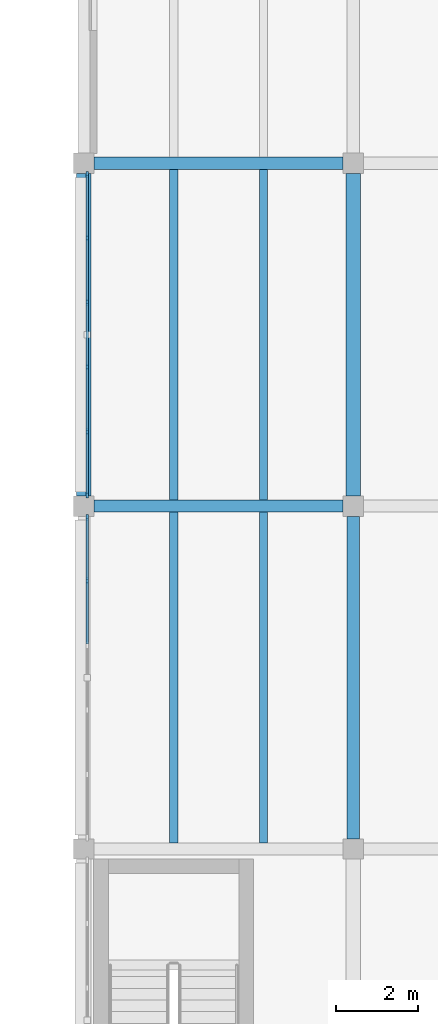
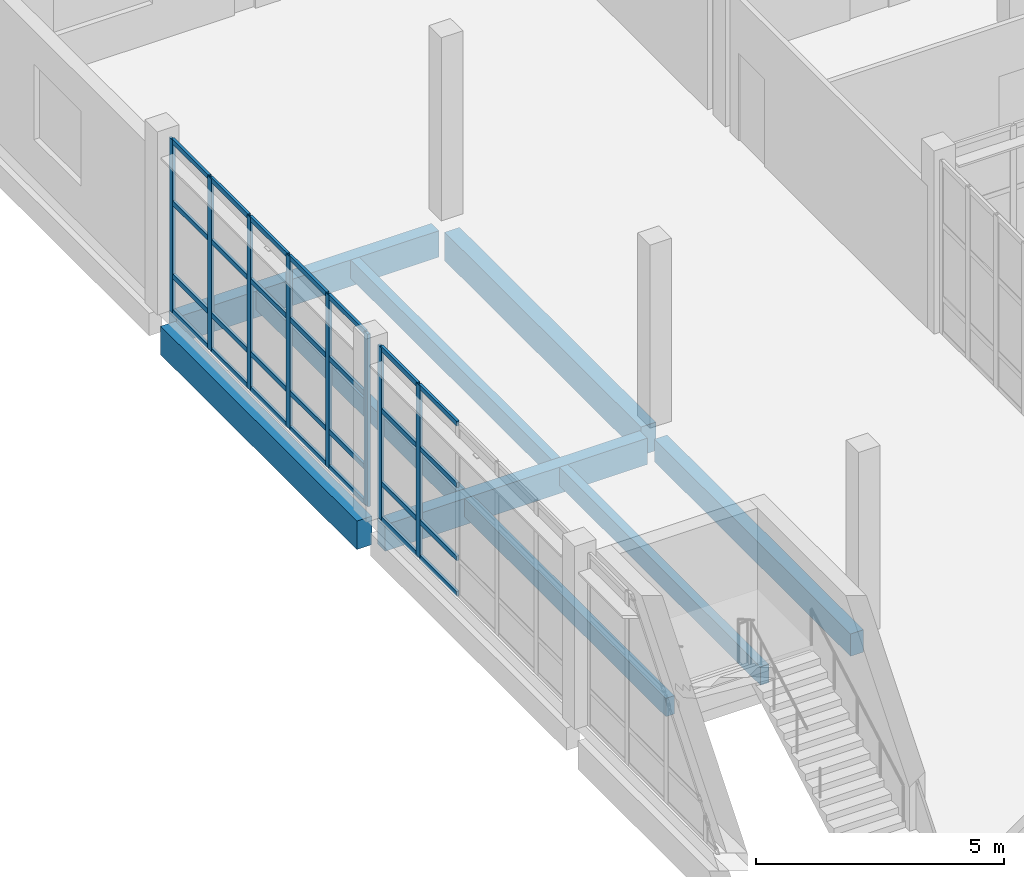
# One storey, part 28 of 76: 36 members, 9 beams, 2 elements without a shape of their own.
"""IFC4 building model written with IfcOpenShell, lengths in metres."""

from ifc_helpers import new_model, si_unit, direction, frame, origin, origin_2d, place, context, subcontext, project, spatial, rectangle, extrude, material, material_profile, profile_set, type_object, element, aggregate, save


model = new_model("IFC4")

# Units and contexts
model_context = context("Model", 3, precision=1e-05, world=origin(), true_north=direction((0.0, 1.0)))
body_context = subcontext(model_context, "Body", "Model", "MODEL_VIEW")
ifc_project = project(units=[si_unit("LENGTHUNIT", "METRE"), si_unit("AREAUNIT", "SQUARE_METRE"), si_unit("VOLUMEUNIT", "CUBIC_METRE"), si_unit("PLANEANGLEUNIT", "RADIAN"), si_unit("MASSUNIT", "GRAM", prefix="KILO")], contexts=[model_context])

# Site, building, storey
site_placement = place(None, origin())
site = spatial("IfcSite", under=ifc_project, at=site_placement, CompositionType="ELEMENT")
building_placement = place(site_placement, origin())
building = spatial("IfcBuilding", under=site, at=building_placement, Name="Qaldarim Faculty of Natural and Applied Sciences", CompositionType="ELEMENT")
storey_placement = place(building_placement, frame((0.0, 0.0, 9.89990234375)))
storey = spatial("IfcBuildingStorey", under=building, at=storey_placement, Name="L02", CompositionType="ELEMENT", Elevation=9.89990234375)

# Beams
ifc_material_1 = material(Name="Concrete C40/50", Category="concrete")
ifc_material_profile_1 = material_profile(ifc_material_1, rectangle(XDim=0.300048828125, YDim=0.550048828125, at=origin_2d()), Name="RC-B300x550")
ifc_profile_set_1 = profile_set([ifc_material_profile_1], Name="Concrete C40/50")
beam_type_1 = type_object("IfcBeamType", Name="FloorBeam-RC300x550", PredefinedType="BEAM", material=ifc_profile_set_1)
beam_placement = place(storey_placement, frame((158.39990234375, 92.64990234375, -0.574951171875), z_axis=(0.0, 1.0, 0.0), x_axis=(-1.0, 0.0, 0.0)))
element("IfcBeam", 1, at=beam_placement, inside=storey, type_object=beam_type_1, Name="Beam RC-B300x550 L01 X25/Y12-Y13", PredefinedType="BEAM", context=body_context, shape_type="SweptSolid", body=[
    extrude(rectangle(XDim=0.300048828125, YDim=0.550048828125, at=origin_2d()), origin(), (0.0, 0.0, 1.0), 7.900146484375),
])
ifc_material_profile_2 = material_profile(ifc_material_1, rectangle(XDim=0.199951171875, YDim=0.449951171875, at=origin_2d()), Name="RC-J200x450")
ifc_profile_set_2 = profile_set([ifc_material_profile_2], Name="Concrete C40/50")
beam_type_2 = type_object("IfcBeamType", Name="LabJoist-RC200x450", PredefinedType="JOIST", material=ifc_profile_set_2)
for number, where, z_axis, x_axis, name in (
    (2, (154.0, 92.550048828125, -0.52490234375), (0.0, 1.0, 0.0), (-1.0, 0.0, 0.0), "Laboratory joist L01 bay X24Y12-1"),
    (3, (156.199951171875, 92.550048828125, -0.52490234375), (0.0, 1.0, 0.0), (-1.0, 0.0, 0.0), "Laboratory joist L01 bay X24Y12-2"),
):
    element("IfcBeam", number, at=place(storey_placement, frame(where, z_axis=z_axis, x_axis=x_axis)), inside=storey, type_object=beam_type_2, Name=name, PredefinedType="JOIST", context=body_context, shape_type="SweptSolid", body=[
        extrude(rectangle(XDim=0.199951171875, YDim=0.449951171875, at=origin_2d()), origin(), (0.0, 0.0, 1.0), 8.099853515625),
    ])
for number, where, z_axis, x_axis, name in (
    (4, (154.0, 100.949951171875, -0.52490234375), (0.0, 1.0, 0.0), (-1.0, 0.0, 0.0), "Laboratory joist L01 bay X24Y13-1"),
    (5, (156.199951171875, 100.949951171875, -0.52490234375), (0.0, 1.0, 0.0), (-1.0, 0.0, 0.0), "Laboratory joist L01 bay X24Y13-2"),
):
    element("IfcBeam", number, at=place(storey_placement, frame(where, z_axis=z_axis, x_axis=x_axis)), inside=storey, type_object=beam_type_2, Name=name, PredefinedType="JOIST", context=body_context, shape_type="SweptSolid", body=[
        extrude(rectangle(XDim=0.199951171875, YDim=0.449951171875, at=origin_2d()), origin(), (0.0, 0.0, 1.0), 8.10009765625),
    ])

# Curtain wall, members
ifc_material_2 = material(Name="Anodised aluminium AW-6063", Category="aluminium")
curtain_wall_type = type_object("IfcCurtainWallType", Name="CurtainWallSystem-M1600", PredefinedType="USERDEFINED", material=ifc_material_2)
curtain_wall_1_placement = place(storey_placement, origin())
curtain_wall_1 = element("IfcCurtainWall", 6, at=curtain_wall_1_placement, inside=storey, type_object=curtain_wall_type, Name="Curtain wall CW-L02-W-X24Y12", ObjectType="UNITISED FACADE", PredefinedType="USERDEFINED")
ifc_material_profile_3 = material_profile(ifc_material_2, rectangle(XDim=0.06005859375, YDim=0.14990234375, at=origin_2d()), Name="ALU-M60x150")
ifc_profile_set_3 = profile_set([ifc_material_profile_3], Name="Anodised aluminium AW-6063")
member_type_1 = type_object("IfcMemberType", Name="Mullion-ALU60x150", PredefinedType="MULLION", material=ifc_profile_set_3)
member_1_placement = place(storey_placement, frame((151.8798828125, 100.52490234375, 0.0), z_axis=(0.0, 0.0, 1.0), x_axis=(1.0, 0.0, 0.0)))
member_1 = element("IfcMember", 7, at=member_1_placement, type_object=member_type_1, Name="Mullion 1 of CW-L02-W-X24Y12", PredefinedType="MULLION", context=body_context, shape_type="SweptSolid", body=[
    extrude(rectangle(XDim=0.06005859375, YDim=0.14990234375, at=origin_2d()), origin(), (0.0, 0.0, 1.0), 4.239990234375),
])
member_2_placement = place(storey_placement, frame((151.8798828125, 98.972900390625, 0.0), z_axis=(0.0, 0.0, 1.0), x_axis=(1.0, 0.0, 0.0)))
member_2 = element("IfcMember", 8, at=member_2_placement, type_object=member_type_1, Name="Mullion 2 of CW-L02-W-X24Y12", PredefinedType="MULLION", context=body_context, shape_type="SweptSolid", body=[
    extrude(rectangle(XDim=0.06005859375, YDim=0.14990234375, at=origin_2d()), origin(), (0.0, 0.0, 1.0), 4.239990234375),
])

curtain_wall_2_placement = place(storey_placement, origin())
curtain_wall_2 = element("IfcCurtainWall", 9, at=curtain_wall_2_placement, inside=storey, type_object=curtain_wall_type, Name="Curtain wall CW-L02-W-X24Y13", ObjectType="UNITISED FACADE", PredefinedType="USERDEFINED")
member_3_placement = place(storey_placement, frame((151.8798828125, 108.925048828125, 0.0), z_axis=(0.0, 0.0, 1.0), x_axis=(1.0, 0.0, 0.0)))
member_3 = element("IfcMember", 10, at=member_3_placement, type_object=member_type_1, Name="Mullion 1 of CW-L02-W-X24Y13", PredefinedType="MULLION", context=body_context, shape_type="SweptSolid", body=[
    extrude(rectangle(XDim=0.06005859375, YDim=0.14990234375, at=origin_2d()), origin(), (0.0, 0.0, 1.0), 4.239990234375),
])
member_4_placement = place(storey_placement, frame((151.8798828125, 107.373046875, 0.0), z_axis=(0.0, 0.0, 1.0), x_axis=(1.0, 0.0, 0.0)))
member_4 = element("IfcMember", 11, at=member_4_placement, type_object=member_type_1, Name="Mullion 2 of CW-L02-W-X24Y13", PredefinedType="MULLION", context=body_context, shape_type="SweptSolid", body=[
    extrude(rectangle(XDim=0.06005859375, YDim=0.14990234375, at=origin_2d()), origin(), (0.0, 0.0, 1.0), 4.239990234375),
])
member_5_placement = place(storey_placement, frame((151.8798828125, 105.791015625, 0.0), z_axis=(0.0, 0.0, 1.0), x_axis=(1.0, 0.0, 0.0)))
member_5 = element("IfcMember", 12, at=member_5_placement, type_object=member_type_1, Name="Mullion 3 of CW-L02-W-X24Y13", PredefinedType="MULLION", context=body_context, shape_type="SweptSolid", body=[
    extrude(rectangle(XDim=0.06005859375, YDim=0.14990234375, at=origin_2d()), origin(), (0.0, 0.0, 1.0), 4.239990234375),
])
member_6_placement = place(storey_placement, frame((151.8798828125, 104.208984375, 0.0), z_axis=(0.0, 0.0, 1.0), x_axis=(1.0, 0.0, 0.0)))
member_6 = element("IfcMember", 13, at=member_6_placement, type_object=member_type_1, Name="Mullion 4 of CW-L02-W-X24Y13", PredefinedType="MULLION", context=body_context, shape_type="SweptSolid", body=[
    extrude(rectangle(XDim=0.06005859375, YDim=0.14990234375, at=origin_2d()), origin(), (0.0, 0.0, 1.0), 4.239990234375),
])
member_7_placement = place(storey_placement, frame((151.8798828125, 102.626953125, 0.0), z_axis=(0.0, 0.0, 1.0), x_axis=(1.0, 0.0, 0.0)))
member_7 = element("IfcMember", 14, at=member_7_placement, type_object=member_type_1, Name="Mullion 5 of CW-L02-W-X24Y13", PredefinedType="MULLION", context=body_context, shape_type="SweptSolid", body=[
    extrude(rectangle(XDim=0.06005859375, YDim=0.14990234375, at=origin_2d()), origin(), (0.0, 0.0, 1.0), 4.239990234375),
])
member_8_placement = place(storey_placement, frame((151.8798828125, 101.074951171875, 0.0), z_axis=(0.0, 0.0, 1.0), x_axis=(1.0, 0.0, 0.0)))
member_8 = element("IfcMember", 15, at=member_8_placement, type_object=member_type_1, Name="Mullion 6 of CW-L02-W-X24Y13", PredefinedType="MULLION", context=body_context, shape_type="SweptSolid", body=[
    extrude(rectangle(XDim=0.06005859375, YDim=0.14990234375, at=origin_2d()), origin(), (0.0, 0.0, 1.0), 4.239990234375),
])

# Beams
ifc_material_profile_4 = material_profile(ifc_material_1, rectangle(XDim=0.300048828125, YDim=0.64990234375, at=origin_2d()), Name="RC-B300x650")
ifc_profile_set_4 = profile_set([ifc_material_profile_4], Name="Concrete C40/50")
beam_type_3 = type_object("IfcBeamType", Name="PrimaryBeam-RC300x650", PredefinedType="BEAM", material=ifc_profile_set_4)
for number, where, z_axis, x_axis, name in (
    (16, (152.050048828125, 100.800048828125, -0.625), (1.0, 0.0, 0.0), (0.0, 1.0, 0.0), "Beam RC-B300x650 L01 X24-X25/Y13"),
    (17, (152.050048828125, 109.199951171875, -0.625), (1.0, 0.0, 0.0), (0.0, 1.0, 0.0), "Beam RC-B300x650 L01 X24-X25/Y14"),
):
    element("IfcBeam", number, at=place(storey_placement, frame(where, z_axis=z_axis, x_axis=x_axis)), inside=storey, type_object=beam_type_3, Name=name, PredefinedType="BEAM", context=body_context, shape_type="SweptSolid", body=[
        extrude(rectangle(XDim=0.300048828125, YDim=0.64990234375, at=origin_2d()), origin(), (0.0, 0.0, 1.0), 6.099853515625),
    ])
ifc_material_profile_5 = material_profile(ifc_material_1, rectangle(XDim=0.35009765625, YDim=0.699951171875, at=origin_2d()), Name="RC-B350x700")
ifc_profile_set_5 = profile_set([ifc_material_profile_5], Name="Concrete C40/50")
beam_type_4 = type_object("IfcBeamType", Name="PrimaryGirder-RC350x700", PredefinedType="BEAM", material=ifc_profile_set_5)
for number, where, z_axis, x_axis, name in (
    (18, (151.800048828125, 101.050048828125, -0.64990234375), (0.0, 1.0, 0.0), (-1.0, 0.0, 0.0), "Beam RC-B350x700 L01 X24/Y13-Y14"),
    (19, (158.39990234375, 101.050048828125, -0.64990234375), (0.0, 1.0, 0.0), (-1.0, 0.0, 0.0), "Beam RC-B350x700 L01 X25/Y13-Y14"),
):
    element("IfcBeam", number, at=place(storey_placement, frame(where, z_axis=z_axis, x_axis=x_axis)), inside=storey, type_object=beam_type_4, Name=name, PredefinedType="BEAM", context=body_context, shape_type="SweptSolid", body=[
        extrude(rectangle(XDim=0.35009765625, YDim=0.699951171875, at=origin_2d()), origin(), (0.0, 0.0, 1.0), 7.89990234375),
    ])

# Member
ifc_material_profile_6 = material_profile(ifc_material_2, rectangle(XDim=0.06005859375, YDim=0.1201171875, at=origin_2d()), Name="ALU-T60x120")
ifc_profile_set_6 = profile_set([ifc_material_profile_6], Name="Anodised aluminium AW-6063")
member_type_2 = type_object("IfcMemberType", Name="Transom-ALU60x120", PredefinedType="USERDEFINED", material=ifc_profile_set_6)
member_9_placement = place(storey_placement, frame((151.8798828125, 100.4951171875, 0.030029296875), z_axis=(0.0, -1.0, 0.0), x_axis=(1.0, 0.0, 0.0)))
member_9 = element("IfcMember", 20, at=member_9_placement, type_object=member_type_2, Name="Transom 1-1 of CW-L02-W-X24Y12", ObjectType="TRANSOM", PredefinedType="USERDEFINED", context=body_context, shape_type="SweptSolid", body=[
    extrude(rectangle(XDim=0.06005859375, YDim=0.1201171875, at=origin_2d()), origin(), (0.0, 0.0, 1.0), 1.4921875),
])

member_10_placement = place(storey_placement, frame((151.8798828125, 100.4951171875, 0.900146484375), z_axis=(0.0, -1.0, 0.0), x_axis=(1.0, 0.0, 0.0)))
member_10 = element("IfcMember", 21, at=member_10_placement, type_object=member_type_2, Name="Transom 1-2 of CW-L02-W-X24Y12", ObjectType="TRANSOM", PredefinedType="USERDEFINED", context=body_context, shape_type="SweptSolid", body=[
    extrude(rectangle(XDim=0.06005859375, YDim=0.1201171875, at=origin_2d()), origin(), (0.0, 0.0, 1.0), 1.4921875),
])

member_11_placement = place(storey_placement, frame((151.8798828125, 100.4951171875, 2.7001953125), z_axis=(0.0, -1.0, 0.0), x_axis=(1.0, 0.0, 0.0)))
member_11 = element("IfcMember", 22, at=member_11_placement, type_object=member_type_2, Name="Transom 1-3 of CW-L02-W-X24Y12", ObjectType="TRANSOM", PredefinedType="USERDEFINED", context=body_context, shape_type="SweptSolid", body=[
    extrude(rectangle(XDim=0.06005859375, YDim=0.1201171875, at=origin_2d()), origin(), (0.0, 0.0, 1.0), 1.4921875),
])

member_12_placement = place(storey_placement, frame((151.8798828125, 100.4951171875, 4.210205078125), z_axis=(0.0, -1.0, 0.0), x_axis=(1.0, 0.0, 0.0)))
member_12 = element("IfcMember", 23, at=member_12_placement, type_object=member_type_2, Name="Transom 1-4 of CW-L02-W-X24Y12", ObjectType="TRANSOM", PredefinedType="USERDEFINED", context=body_context, shape_type="SweptSolid", body=[
    extrude(rectangle(XDim=0.06005859375, YDim=0.1201171875, at=origin_2d()), origin(), (0.0, 0.0, 1.0), 1.4921875),
])

member_13_placement = place(storey_placement, frame((151.8798828125, 98.943115234375, 0.030029296875), z_axis=(0.0, -1.0, 0.0), x_axis=(1.0, 0.0, 0.0)))
member_13 = element("IfcMember", 24, at=member_13_placement, type_object=member_type_2, Name="Transom 2-1 of CW-L02-W-X24Y12", ObjectType="TRANSOM", PredefinedType="USERDEFINED", context=body_context, shape_type="SweptSolid", body=[
    extrude(rectangle(XDim=0.06005859375, YDim=0.1201171875, at=origin_2d()), origin(), (0.0, 0.0, 1.0), 1.522216796875),
])

member_14_placement = place(storey_placement, frame((151.8798828125, 98.943115234375, 0.900146484375), z_axis=(0.0, -1.0, 0.0), x_axis=(1.0, 0.0, 0.0)))
member_14 = element("IfcMember", 25, at=member_14_placement, type_object=member_type_2, Name="Transom 2-2 of CW-L02-W-X24Y12", ObjectType="TRANSOM", PredefinedType="USERDEFINED", context=body_context, shape_type="SweptSolid", body=[
    extrude(rectangle(XDim=0.06005859375, YDim=0.1201171875, at=origin_2d()), origin(), (0.0, 0.0, 1.0), 1.522216796875),
])

member_15_placement = place(storey_placement, frame((151.8798828125, 98.943115234375, 2.7001953125), z_axis=(0.0, -1.0, 0.0), x_axis=(1.0, 0.0, 0.0)))
member_15 = element("IfcMember", 26, at=member_15_placement, type_object=member_type_2, Name="Transom 2-3 of CW-L02-W-X24Y12", ObjectType="TRANSOM", PredefinedType="USERDEFINED", context=body_context, shape_type="SweptSolid", body=[
    extrude(rectangle(XDim=0.06005859375, YDim=0.1201171875, at=origin_2d()), origin(), (0.0, 0.0, 1.0), 1.522216796875),
])

member_16_placement = place(storey_placement, frame((151.8798828125, 98.943115234375, 4.210205078125), z_axis=(0.0, -1.0, 0.0), x_axis=(1.0, 0.0, 0.0)))
member_16 = element("IfcMember", 27, at=member_16_placement, type_object=member_type_2, Name="Transom 2-4 of CW-L02-W-X24Y12", ObjectType="TRANSOM", PredefinedType="USERDEFINED", context=body_context, shape_type="SweptSolid", body=[
    extrude(rectangle(XDim=0.06005859375, YDim=0.1201171875, at=origin_2d()), origin(), (0.0, 0.0, 1.0), 1.522216796875),
])

aggregate(curtain_wall_1, [member_1, member_2, member_9, member_10, member_11, member_12, member_13, member_14, member_15, member_16])

member_17_placement = place(storey_placement, frame((151.8798828125, 108.89501953125, 0.030029296875), z_axis=(0.0, -1.0, 0.0), x_axis=(1.0, 0.0, 0.0)))
member_17 = element("IfcMember", 28, at=member_17_placement, type_object=member_type_2, Name="Transom 1-1 of CW-L02-W-X24Y13", ObjectType="TRANSOM", PredefinedType="USERDEFINED", context=body_context, shape_type="SweptSolid", body=[
    extrude(rectangle(XDim=0.06005859375, YDim=0.1201171875, at=origin_2d()), origin(), (0.0, 0.0, 1.0), 1.491943359375),
])

member_18_placement = place(storey_placement, frame((151.8798828125, 108.89501953125, 0.900146484375), z_axis=(0.0, -1.0, 0.0), x_axis=(1.0, 0.0, 0.0)))
member_18 = element("IfcMember", 29, at=member_18_placement, type_object=member_type_2, Name="Transom 1-2 of CW-L02-W-X24Y13", ObjectType="TRANSOM", PredefinedType="USERDEFINED", context=body_context, shape_type="SweptSolid", body=[
    extrude(rectangle(XDim=0.06005859375, YDim=0.1201171875, at=origin_2d()), origin(), (0.0, 0.0, 1.0), 1.491943359375),
])

member_19_placement = place(storey_placement, frame((151.8798828125, 108.89501953125, 2.7001953125), z_axis=(0.0, -1.0, 0.0), x_axis=(1.0, 0.0, 0.0)))
member_19 = element("IfcMember", 30, at=member_19_placement, type_object=member_type_2, Name="Transom 1-3 of CW-L02-W-X24Y13", ObjectType="TRANSOM", PredefinedType="USERDEFINED", context=body_context, shape_type="SweptSolid", body=[
    extrude(rectangle(XDim=0.06005859375, YDim=0.1201171875, at=origin_2d()), origin(), (0.0, 0.0, 1.0), 1.491943359375),
])

member_20_placement = place(storey_placement, frame((151.8798828125, 108.89501953125, 4.210205078125), z_axis=(0.0, -1.0, 0.0), x_axis=(1.0, 0.0, 0.0)))
member_20 = element("IfcMember", 31, at=member_20_placement, type_object=member_type_2, Name="Transom 1-4 of CW-L02-W-X24Y13", ObjectType="TRANSOM", PredefinedType="USERDEFINED", context=body_context, shape_type="SweptSolid", body=[
    extrude(rectangle(XDim=0.06005859375, YDim=0.1201171875, at=origin_2d()), origin(), (0.0, 0.0, 1.0), 1.491943359375),
])

member_21_placement = place(storey_placement, frame((151.8798828125, 107.343017578125, 0.030029296875), z_axis=(0.0, -1.0, 0.0), x_axis=(1.0, 0.0, 0.0)))
member_21 = element("IfcMember", 32, at=member_21_placement, type_object=member_type_2, Name="Transom 2-1 of CW-L02-W-X24Y13", ObjectType="TRANSOM", PredefinedType="USERDEFINED", context=body_context, shape_type="SweptSolid", body=[
    extrude(rectangle(XDim=0.06005859375, YDim=0.1201171875, at=origin_2d()), origin(), (0.0, 0.0, 1.0), 1.52197265625),
])

member_22_placement = place(storey_placement, frame((151.8798828125, 107.343017578125, 0.900146484375), z_axis=(0.0, -1.0, 0.0), x_axis=(1.0, 0.0, 0.0)))
member_22 = element("IfcMember", 33, at=member_22_placement, type_object=member_type_2, Name="Transom 2-2 of CW-L02-W-X24Y13", ObjectType="TRANSOM", PredefinedType="USERDEFINED", context=body_context, shape_type="SweptSolid", body=[
    extrude(rectangle(XDim=0.06005859375, YDim=0.1201171875, at=origin_2d()), origin(), (0.0, 0.0, 1.0), 1.52197265625),
])

member_23_placement = place(storey_placement, frame((151.8798828125, 107.343017578125, 2.7001953125), z_axis=(0.0, -1.0, 0.0), x_axis=(1.0, 0.0, 0.0)))
member_23 = element("IfcMember", 34, at=member_23_placement, type_object=member_type_2, Name="Transom 2-3 of CW-L02-W-X24Y13", ObjectType="TRANSOM", PredefinedType="USERDEFINED", context=body_context, shape_type="SweptSolid", body=[
    extrude(rectangle(XDim=0.06005859375, YDim=0.1201171875, at=origin_2d()), origin(), (0.0, 0.0, 1.0), 1.52197265625),
])

member_24_placement = place(storey_placement, frame((151.8798828125, 107.343017578125, 4.210205078125), z_axis=(0.0, -1.0, 0.0), x_axis=(1.0, 0.0, 0.0)))
member_24 = element("IfcMember", 35, at=member_24_placement, type_object=member_type_2, Name="Transom 2-4 of CW-L02-W-X24Y13", ObjectType="TRANSOM", PredefinedType="USERDEFINED", context=body_context, shape_type="SweptSolid", body=[
    extrude(rectangle(XDim=0.06005859375, YDim=0.1201171875, at=origin_2d()), origin(), (0.0, 0.0, 1.0), 1.52197265625),
])

member_25_placement = place(storey_placement, frame((151.8798828125, 105.760986328125, 0.030029296875), z_axis=(0.0, -1.0, 0.0), x_axis=(1.0, 0.0, 0.0)))
member_25 = element("IfcMember", 36, at=member_25_placement, type_object=member_type_2, Name="Transom 3-1 of CW-L02-W-X24Y13", ObjectType="TRANSOM", PredefinedType="USERDEFINED", context=body_context, shape_type="SweptSolid", body=[
    extrude(rectangle(XDim=0.06005859375, YDim=0.1201171875, at=origin_2d()), origin(), (0.0, 0.0, 1.0), 1.52197265625),
])

member_26_placement = place(storey_placement, frame((151.8798828125, 105.760986328125, 0.900146484375), z_axis=(0.0, -1.0, 0.0), x_axis=(1.0, 0.0, 0.0)))
member_26 = element("IfcMember", 37, at=member_26_placement, type_object=member_type_2, Name="Transom 3-2 of CW-L02-W-X24Y13", ObjectType="TRANSOM", PredefinedType="USERDEFINED", context=body_context, shape_type="SweptSolid", body=[
    extrude(rectangle(XDim=0.06005859375, YDim=0.1201171875, at=origin_2d()), origin(), (0.0, 0.0, 1.0), 1.52197265625),
])

member_27_placement = place(storey_placement, frame((151.8798828125, 105.760986328125, 2.7001953125), z_axis=(0.0, -1.0, 0.0), x_axis=(1.0, 0.0, 0.0)))
member_27 = element("IfcMember", 38, at=member_27_placement, type_object=member_type_2, Name="Transom 3-3 of CW-L02-W-X24Y13", ObjectType="TRANSOM", PredefinedType="USERDEFINED", context=body_context, shape_type="SweptSolid", body=[
    extrude(rectangle(XDim=0.06005859375, YDim=0.1201171875, at=origin_2d()), origin(), (0.0, 0.0, 1.0), 1.52197265625),
])

member_28_placement = place(storey_placement, frame((151.8798828125, 105.760986328125, 4.210205078125), z_axis=(0.0, -1.0, 0.0), x_axis=(1.0, 0.0, 0.0)))
member_28 = element("IfcMember", 39, at=member_28_placement, type_object=member_type_2, Name="Transom 3-4 of CW-L02-W-X24Y13", ObjectType="TRANSOM", PredefinedType="USERDEFINED", context=body_context, shape_type="SweptSolid", body=[
    extrude(rectangle(XDim=0.06005859375, YDim=0.1201171875, at=origin_2d()), origin(), (0.0, 0.0, 1.0), 1.52197265625),
])

member_29_placement = place(storey_placement, frame((151.8798828125, 104.178955078125, 0.030029296875), z_axis=(0.0, -1.0, 0.0), x_axis=(1.0, 0.0, 0.0)))
member_29 = element("IfcMember", 40, at=member_29_placement, type_object=member_type_2, Name="Transom 4-1 of CW-L02-W-X24Y13", ObjectType="TRANSOM", PredefinedType="USERDEFINED", context=body_context, shape_type="SweptSolid", body=[
    extrude(rectangle(XDim=0.06005859375, YDim=0.1201171875, at=origin_2d()), origin(), (0.0, 0.0, 1.0), 1.52197265625),
])

member_30_placement = place(storey_placement, frame((151.8798828125, 104.178955078125, 0.900146484375), z_axis=(0.0, -1.0, 0.0), x_axis=(1.0, 0.0, 0.0)))
member_30 = element("IfcMember", 41, at=member_30_placement, type_object=member_type_2, Name="Transom 4-2 of CW-L02-W-X24Y13", ObjectType="TRANSOM", PredefinedType="USERDEFINED", context=body_context, shape_type="SweptSolid", body=[
    extrude(rectangle(XDim=0.06005859375, YDim=0.1201171875, at=origin_2d()), origin(), (0.0, 0.0, 1.0), 1.52197265625),
])

member_31_placement = place(storey_placement, frame((151.8798828125, 104.178955078125, 2.7001953125), z_axis=(0.0, -1.0, 0.0), x_axis=(1.0, 0.0, 0.0)))
member_31 = element("IfcMember", 42, at=member_31_placement, type_object=member_type_2, Name="Transom 4-3 of CW-L02-W-X24Y13", ObjectType="TRANSOM", PredefinedType="USERDEFINED", context=body_context, shape_type="SweptSolid", body=[
    extrude(rectangle(XDim=0.06005859375, YDim=0.1201171875, at=origin_2d()), origin(), (0.0, 0.0, 1.0), 1.52197265625),
])

member_32_placement = place(storey_placement, frame((151.8798828125, 104.178955078125, 4.210205078125), z_axis=(0.0, -1.0, 0.0), x_axis=(1.0, 0.0, 0.0)))
member_32 = element("IfcMember", 43, at=member_32_placement, type_object=member_type_2, Name="Transom 4-4 of CW-L02-W-X24Y13", ObjectType="TRANSOM", PredefinedType="USERDEFINED", context=body_context, shape_type="SweptSolid", body=[
    extrude(rectangle(XDim=0.06005859375, YDim=0.1201171875, at=origin_2d()), origin(), (0.0, 0.0, 1.0), 1.52197265625),
])

member_33_placement = place(storey_placement, frame((151.8798828125, 102.596923828125, 0.030029296875), z_axis=(0.0, -1.0, 0.0), x_axis=(1.0, 0.0, 0.0)))
member_33 = element("IfcMember", 44, at=member_33_placement, type_object=member_type_2, Name="Transom 5-1 of CW-L02-W-X24Y13", ObjectType="TRANSOM", PredefinedType="USERDEFINED", context=body_context, shape_type="SweptSolid", body=[
    extrude(rectangle(XDim=0.06005859375, YDim=0.1201171875, at=origin_2d()), origin(), (0.0, 0.0, 1.0), 1.491943359375),
])

member_34_placement = place(storey_placement, frame((151.8798828125, 102.596923828125, 0.900146484375), z_axis=(0.0, -1.0, 0.0), x_axis=(1.0, 0.0, 0.0)))
member_34 = element("IfcMember", 45, at=member_34_placement, type_object=member_type_2, Name="Transom 5-2 of CW-L02-W-X24Y13", ObjectType="TRANSOM", PredefinedType="USERDEFINED", context=body_context, shape_type="SweptSolid", body=[
    extrude(rectangle(XDim=0.06005859375, YDim=0.1201171875, at=origin_2d()), origin(), (0.0, 0.0, 1.0), 1.491943359375),
])

member_35_placement = place(storey_placement, frame((151.8798828125, 102.596923828125, 2.7001953125), z_axis=(0.0, -1.0, 0.0), x_axis=(1.0, 0.0, 0.0)))
member_35 = element("IfcMember", 46, at=member_35_placement, type_object=member_type_2, Name="Transom 5-3 of CW-L02-W-X24Y13", ObjectType="TRANSOM", PredefinedType="USERDEFINED", context=body_context, shape_type="SweptSolid", body=[
    extrude(rectangle(XDim=0.06005859375, YDim=0.1201171875, at=origin_2d()), origin(), (0.0, 0.0, 1.0), 1.491943359375),
])

member_36_placement = place(storey_placement, frame((151.8798828125, 102.596923828125, 4.210205078125), z_axis=(0.0, -1.0, 0.0), x_axis=(1.0, 0.0, 0.0)))
member_36 = element("IfcMember", 47, at=member_36_placement, type_object=member_type_2, Name="Transom 5-4 of CW-L02-W-X24Y13", ObjectType="TRANSOM", PredefinedType="USERDEFINED", context=body_context, shape_type="SweptSolid", body=[
    extrude(rectangle(XDim=0.06005859375, YDim=0.1201171875, at=origin_2d()), origin(), (0.0, 0.0, 1.0), 1.491943359375),
])

aggregate(curtain_wall_2, [member_3, member_4, member_5, member_6, member_7, member_8, member_17, member_18, member_19, member_20, member_21, member_22, member_23, member_24, member_25, member_26, member_27, member_28, member_29, member_30, member_31, member_32, member_33, member_34, member_35, member_36])

save(model, "model.ifc")
